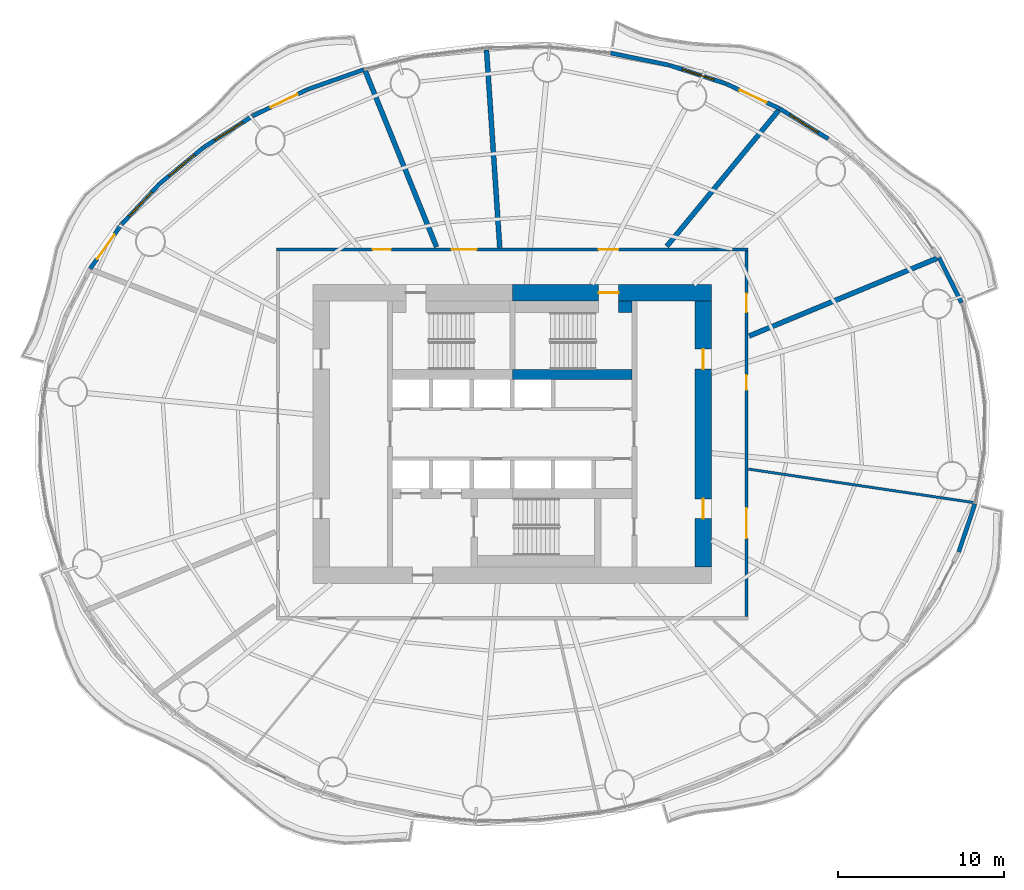
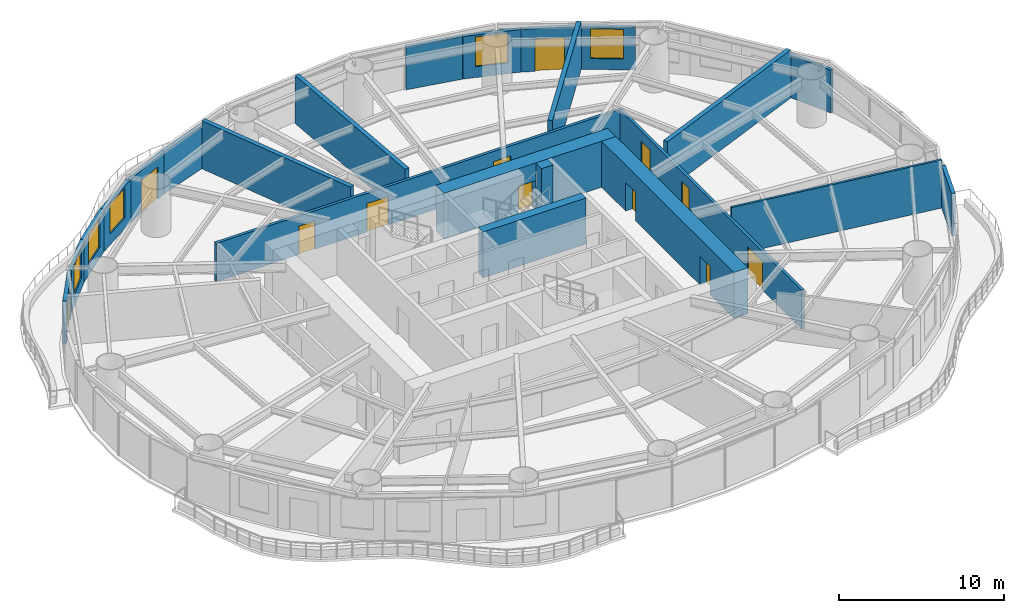
# One storey, part 10 of 16: 23 walls, 12 doors, 5 windows, 17 openings.
"""IFC4 building model written with IfcOpenShell, lengths in metres."""

from ifc_helpers import new_model, si_unit, direction, frame, frame_2d, origin, place, context, subcontext, project, spatial, rectangle, extrude, material, layer, layer_set, type_object, element, fill, save


model = new_model("IFC4")

# Units and contexts
model_context = context("Model", 3, precision=1e-05, world=origin(), true_north=direction((0.0, 1.0)))
body_context = subcontext(model_context, "Body", "Model", "MODEL_VIEW")
ifc_project = project(units=[si_unit("LENGTHUNIT", "METRE"), si_unit("AREAUNIT", "SQUARE_METRE"), si_unit("VOLUMEUNIT", "CUBIC_METRE"), si_unit("PLANEANGLEUNIT", "RADIAN"), si_unit("MASSUNIT", "GRAM", prefix="KILO")], contexts=[model_context])

# Site, building, storey
site_placement = place(None, origin())
site = spatial("IfcSite", under=ifc_project, at=site_placement, CompositionType="ELEMENT")
building_placement = place(site_placement, origin())
building = spatial("IfcBuilding", under=site, at=building_placement, Name="Vermilion Reach Broadcast Tower", CompositionType="ELEMENT")
storey_placement = place(building_placement, frame((0.0, 0.0, 50.800048828125)))
storey = spatial("IfcBuildingStorey", under=building, at=storey_placement, Name="L09", CompositionType="ELEMENT", Elevation=50.800048828125)

# Wall
ifc_material_1 = material(Name="Concrete C70", Category="concrete")
ifc_layer_1 = layer(ifc_material_1, 0.60009765625)
ifc_layer_set_1 = layer_set([ifc_layer_1], Name="Core inner wall 600 mm Concrete C70")
wall_type_1 = type_object("IfcWallType", Name="Core inner wall 600 mm Concrete C70", PredefinedType="SHEAR", material=ifc_layer_set_1)
wall_1_placement = place(storey_placement, frame((-6.0, 3.580078125, 0.0), z_axis=(0.0, 0.0, 1.0), x_axis=(1.0, 0.0, 0.0)))
element("IfcWall", 1, at=wall_1_placement, inside=storey, type_object=wall_type_1, Name="L09 core wall winE", PredefinedType="SHEAR", context=body_context, shape_type="SweptSolid", body=[
    extrude(rectangle(XDim=7.199951171875, YDim=0.60009765625, at=frame_2d((3.60009765625, 0.0))), origin(), (0.0, 0.0, 1.0), 3.39990234375),
])

# Wall, opening, door
ifc_material_2 = material(Name="Concrete C70", Category="concrete")
ifc_layer_2 = layer(ifc_material_2, 1.0)
ifc_layer_set_2 = layer_set([ifc_layer_2], Name="Core outer wall 1000 mm Concrete C70")
wall_type_2 = type_object("IfcWallType", Name="Core outer wall 1000 mm Concrete C70", PredefinedType="SHEAR", material=ifc_layer_set_2)
wall_2_placement = place(storey_placement, frame((6.0, 8.5, 0.0), z_axis=(0.0, 0.0, 1.0), x_axis=(-1.0, 0.0, 0.0)))
wall_2 = element("IfcWall", 2, at=wall_2_placement, inside=storey, type_object=wall_type_2, Name="L09 core wall onE", PredefinedType="SHEAR", context=body_context, shape_type="SweptSolid", body=[
    extrude(rectangle(XDim=12.0, YDim=1.0, at=frame_2d((6.0, 0.0))), origin(), (0.0, 0.0, 1.0), 3.39990234375),
])
opening_1_placement = place(wall_2_placement, frame((5.60009765625, 0.0, 0.0)))
opening_1 = element("IfcOpeningElement", 3, at=opening_1_placement, cuts=wall_2, Name="Opening D01", PredefinedType="OPENING", context=body_context, shape_type="SweptSolid", body=[
    extrude(rectangle(XDim=1.199951171875, YDim=2.10009765625, at=frame_2d((0.60009765625, 1.050048828125))), frame((0.0, 0.510009765625, 0.0), z_axis=(0.0, -1.0, 0.0), x_axis=(1.0, 0.0, 0.0)), (0.0, 0.0, 1.0), 1.02001953125),
])
ifc_material_3 = material(Name="Painted steel fire door", Category="steel")
door_type_1 = type_object("IfcDoorType", Name="Stair door 1200 x 2100", OperationType="DOUBLE_DOOR_SINGLE_SWING", PredefinedType="NOTDEFINED", material=ifc_material_3)
door_1_placement = place(opening_1_placement, origin())
door_1 = element("IfcDoor", 4, at=door_1_placement, inside=storey, type_object=door_type_1, Name="L09 stair door ST2", OperationType="DOUBLE_DOOR_SINGLE_SWING", OverallHeight=2.10009765625, OverallWidth=1.199951171875, PredefinedType="NOTDEFINED", context=body_context, shape_type="SweptSolid", body=[
    extrude(rectangle(XDim=1.199951171875, YDim=2.10009765625, at=frame_2d((0.60009765625, 1.050048828125))), frame((0.0, 0.02490234375, 0.0), z_axis=(0.0, -1.0, 0.0), x_axis=(1.0, 0.0, 0.0)), (0.0, 0.0, 1.0), 0.050048828125),
])
fill(opening_1, door_1)

# Wall, openings, doors
wall_3_placement = place(storey_placement, frame((5.5, -8.0, 0.0), z_axis=(0.0, 0.0, 1.0), x_axis=(0.0, 1.0, 0.0)))
wall_3 = element("IfcWall", 5, at=wall_3_placement, inside=storey, type_object=wall_type_2, Name="L09 core wall oe", PredefinedType="SHEAR", context=body_context, shape_type="SweptSolid", body=[
    extrude(rectangle(XDim=16.0, YDim=1.0, at=frame_2d((8.0, 0.0))), origin(), (0.0, 0.0, 1.0), 3.39990234375),
])
opening_2_placement = place(wall_3_placement, frame((2.89990234375, 0.0, 0.0)))
opening_2 = element("IfcOpeningElement", 6, at=opening_2_placement, cuts=wall_3, Name="Opening D03", PredefinedType="OPENING", context=body_context, shape_type="SweptSolid", body=[
    extrude(rectangle(XDim=1.199951171875, YDim=2.10009765625, at=frame_2d((0.60009765625, 1.050048828125))), frame((0.0, 0.510009765625, 0.0), z_axis=(0.0, -1.0, 0.0), x_axis=(1.0, 0.0, 0.0)), (0.0, 0.0, 1.0), 1.02001953125),
])
opening_3_placement = place(wall_3_placement, frame((11.89990234375, 0.0, 0.0)))
opening_3 = element("IfcOpeningElement", 7, at=opening_3_placement, cuts=wall_3, Name="Opening D03", PredefinedType="OPENING", context=body_context, shape_type="SweptSolid", body=[
    extrude(rectangle(XDim=1.199951171875, YDim=2.10009765625, at=frame_2d((0.60009765625, 1.050048828125))), frame((0.0, 0.510009765625, 0.0), z_axis=(0.0, -1.0, 0.0), x_axis=(1.0, 0.0, 0.0)), (0.0, 0.0, 1.0), 1.02001953125),
])
ifc_material_4 = material(Name="Painted steel fire door", Category="steel")
door_type_2 = type_object("IfcDoorType", Name="Core lobby door 1200 x 2100", OperationType="DOUBLE_DOOR_SINGLE_SWING", PredefinedType="NOTDEFINED", material=ifc_material_4)
door_2_placement = place(opening_2_placement, origin())
door_2 = element("IfcDoor", 8, at=door_2_placement, inside=storey, type_object=door_type_2, Name="L09 slot door E0", OperationType="DOUBLE_DOOR_SINGLE_SWING", OverallHeight=2.10009765625, OverallWidth=1.199951171875, PredefinedType="NOTDEFINED", context=body_context, shape_type="SweptSolid", body=[
    extrude(rectangle(XDim=1.199951171875, YDim=2.10009765625, at=frame_2d((0.60009765625, 1.050048828125))), frame((0.0, 0.02490234375, 0.0), z_axis=(0.0, -1.0, 0.0), x_axis=(1.0, 0.0, 0.0)), (0.0, 0.0, 1.0), 0.050048828125),
])
fill(opening_2, door_2)
door_3_placement = place(opening_3_placement, origin())
door_3 = element("IfcDoor", 9, at=door_3_placement, inside=storey, type_object=door_type_2, Name="L09 slot door E1", OperationType="DOUBLE_DOOR_SINGLE_SWING", OverallHeight=2.10009765625, OverallWidth=1.199951171875, PredefinedType="NOTDEFINED", context=body_context, shape_type="SweptSolid", body=[
    extrude(rectangle(XDim=1.199951171875, YDim=2.10009765625, at=frame_2d((0.60009765625, 1.050048828125))), frame((0.0, 0.02490234375, 0.0), z_axis=(0.0, -1.0, 0.0), x_axis=(1.0, 0.0, 0.0)), (0.0, 0.0, 1.0), 0.050048828125),
])
fill(opening_3, door_3)

# Walls
ifc_material_5 = material(Name="Concrete C70", Category="concrete")
ifc_layer_3 = layer(ifc_material_5, 0.699951171875)
ifc_layer_set_3 = layer_set([ifc_layer_3], Name="Core stair wall 700 mm Concrete C70")
wall_type_3 = type_object("IfcWallType", Name="Core stair wall 700 mm Concrete C70", PredefinedType="SHEAR", material=ifc_layer_set_3)
wall_4_placement = place(storey_placement, frame((0.39990234375, 7.64990234375, 0.0), z_axis=(0.0, 0.0, 1.0), x_axis=(1.0, 0.0, 0.0)))
element("IfcWall", 10, at=wall_4_placement, inside=storey, type_object=wall_type_3, Name="L09 core wall l2b", PredefinedType="SHEAR", context=body_context, shape_type="SweptSolid", body=[
    extrude(rectangle(XDim=0.800048828125, YDim=0.699951171875, at=frame_2d((0.39990234375, 0.0))), origin(), (0.0, 0.0, 1.0), 3.39990234375),
])
ifc_material_6 = material(Name="Lightweight concrete block, plastered", Category="concrete")
ifc_layer_4 = layer(ifc_material_6, 0.14990234375)
ifc_layer_set_4 = layer_set([ifc_layer_4], Name="Partition 150 lightweight block")
wall_type_4 = type_object("IfcWallType", Name="Partition 150 lightweight block", PredefinedType="PARTITIONING", material=ifc_layer_set_4)
wall_5_placement = place(storey_placement, frame((21.744384765625, -4.125244140625, 0.0), z_axis=(0.0, 0.0, 1.0), x_axis=(-0.989126490961, 0.147067280113, 0.0)))
element("IfcWall", 11, at=wall_5_placement, inside=storey, type_object=wall_type_4, Name="Partition 9.11", PredefinedType="PARTITIONING", context=body_context, shape_type="SweptSolid", body=[
    extrude(rectangle(XDim=13.68212890625, YDim=0.14990234375, at=frame_2d((6.841064453125, 0.0))), origin(), (0.0, 0.0, 1.0), 3.550048828125),
])
ifc_material_7 = material(Name="Double-leaf plasterboard on isolated steel stud", Category="steel")
ifc_layer_5 = layer(ifc_material_7, 0.300048828125)
ifc_layer_set_5 = layer_set([ifc_layer_5], Name="Partition 300 acoustic double leaf")
wall_type_5 = type_object("IfcWallType", Name="Partition 300 acoustic double leaf", PredefinedType="PARTITIONING", material=ifc_layer_set_5)
wall_6_placement = place(storey_placement, frame((19.5693359375, 10.57275390625, 0.0), z_axis=(0.0, 0.0, 1.0), x_axis=(-0.924113266053, -0.382118661551, 0.0)))
element("IfcWall", 12, at=wall_6_placement, inside=storey, type_object=wall_type_5, Name="Partition 9.01", PredefinedType="PARTITIONING", context=body_context, shape_type="SweptSolid", body=[
    extrude(rectangle(XDim=12.240966796875, YDim=0.300048828125, at=frame_2d((6.12060546875, 0.0))), origin(), (0.0, 0.0, 1.0), 3.550048828125),
])
wall_7_placement = place(storey_placement, frame((10.0322265625, 19.474853515625, 0.0), z_axis=(0.0, 0.0, 1.0), x_axis=(-0.635573968838, -0.772039979623, 0.0)))
element("IfcWall", 13, at=wall_7_placement, inside=storey, type_object=wall_type_5, Name="Partition 9.02", PredefinedType="PARTITIONING", context=body_context, shape_type="SweptSolid", body=[
    extrude(rectangle(XDim=10.594482421875, YDim=0.300048828125, at=frame_2d((5.29736328125, 0.0))), origin(), (0.0, 0.0, 1.0), 3.550048828125),
])
wall_8_placement = place(storey_placement, frame((-7.551513671875, 23.115478515625, 0.0), z_axis=(0.0, 0.0, 1.0), x_axis=(0.06696714259, -0.997755181301, 0.0)))
element("IfcWall", 14, at=wall_8_placement, inside=storey, type_object=wall_type_5, Name="Partition 9.03", PredefinedType="PARTITIONING", context=body_context, shape_type="SweptSolid", body=[
    extrude(rectangle(XDim=11.932373046875, YDim=0.300048828125, at=frame_2d((5.96630859375, 0.0))), origin(), (0.0, 0.0, 1.0), 3.550048828125),
])
wall_9_placement = place(storey_placement, frame((-14.84228515625, 21.830322265625, 0.0), z_axis=(0.0, 0.0, 1.0), x_axis=(0.375419963659, -0.926854816509, 0.0)))
element("IfcWall", 15, at=wall_9_placement, inside=storey, type_object=wall_type_5, Name="Partition 9.04", PredefinedType="PARTITIONING", context=body_context, shape_type="SweptSolid", body=[
    extrude(rectangle(XDim=11.408447265625, YDim=0.300048828125, at=frame_2d((5.7041015625, 0.0))), origin(), (0.0, 0.0, 1.0), 3.550048828125),
])
ifc_material_8 = material(Name="Terracotta rainscreen cladding", Category="masonry")
ifc_layer_6 = layer(ifc_material_8, 0.25)
ifc_layer_set_6 = layer_set([ifc_layer_6], Name="Terracotta rainscreen wall 250")
wall_type_6 = type_object("IfcWallType", Name="Terracotta rainscreen wall 250", PredefinedType="SOLIDWALL", material=ifc_layer_set_6)
wall_10_placement = place(storey_placement, frame((21.03564453125, 7.89208984375, 0.0), z_axis=(0.0, 0.0, 1.0), x_axis=(-0.443751201737, 0.896150027036, 0.0)))
element("IfcWall", 16, at=wall_10_placement, inside=storey, type_object=wall_type_6, Name="External wall L09 02", PredefinedType="SOLIDWALL", context=body_context, shape_type="SweptSolid", body=[
    extrude(rectangle(XDim=3.049072265625, YDim=0.25, at=frame_2d((1.5244140625, 0.0))), origin(), (0.0, 0.0, 1.0), 3.14990234375),
])

# Wall, opening, window
wall_11_placement = place(storey_placement, frame((13.0107421875, 17.7705078125, 0.0), z_axis=(0.0, 0.0, 1.0), x_axis=(-0.849344913238, 0.527838250184, 0.0)))
wall_11 = element("IfcWall", 17, at=wall_11_placement, inside=storey, type_object=wall_type_6, Name="External wall L09 06", PredefinedType="SOLIDWALL", context=body_context, shape_type="SweptSolid", body=[
    extrude(rectangle(XDim=3.425537109375, YDim=0.25, at=frame_2d((1.712890625, 0.0))), origin(), (0.0, 0.0, 1.0), 3.14990234375),
])
opening_4_placement = place(wall_11_placement, frame((0.712646484375, 0.0, 0.800048828125)))
opening_4 = element("IfcOpeningElement", 18, at=opening_4_placement, cuts=wall_11, Name="Opening W01", PredefinedType="OPENING", context=body_context, shape_type="SweptSolid", body=[
    extrude(rectangle(XDim=2.0, YDim=2.199951171875, at=frame_2d((1.0, 1.10009765625))), frame((0.0, 0.135009765625, 0.0), z_axis=(0.0, -1.0, 0.0), x_axis=(1.0, 0.0, 0.0)), (0.0, 0.0, 1.0), 0.27001953125),
])
ifc_material_9 = material(Name="Low-e laminated clear glass in aluminium frame", Category="aluminium")
window_type = type_object("IfcWindowType", Name="Punched window 2000 x 2200 sill 800", PartitioningType="SINGLE_PANEL", PredefinedType="WINDOW", material=ifc_material_9)
window_1_placement = place(opening_4_placement, origin())
window_1 = element("IfcWindow", 19, at=window_1_placement, inside=storey, type_object=window_type, Name="Window L09 06", OverallHeight=2.199951171875, OverallWidth=2.0, PartitioningType="SINGLE_PANEL", PredefinedType="WINDOW", context=body_context, shape_type="SweptSolid", body=[
    extrude(rectangle(XDim=2.0, YDim=2.199951171875, at=frame_2d((1.0, 1.10009765625))), frame((0.0, 0.030029296875, 0.0), z_axis=(0.0, -1.0, 0.0), x_axis=(1.0, 0.0, 0.0)), (0.0, 0.0, 1.0), 0.06005859375),
])
fill(opening_4, window_1)

# Wall, opening, door
wall_12_placement = place(storey_placement, frame((10.0810546875, 19.589599609375, 0.0), z_axis=(0.0, 0.0, 1.0), x_axis=(-0.907313194359, 0.420455428484, 0.0)))
wall_12 = element("IfcWall", 20, at=wall_12_placement, inside=storey, type_object=wall_type_6, Name="External wall L09 07", PredefinedType="SOLIDWALL", context=body_context, shape_type="SweptSolid", body=[
    extrude(rectangle(XDim=3.51123046875, YDim=0.25, at=frame_2d((1.755615234375, 0.0))), origin(), (0.0, 0.0, 1.0), 3.14990234375),
])
opening_5_placement = place(wall_12_placement, frame((0.85595703125, 0.0, 0.0)))
opening_5 = element("IfcOpeningElement", 21, at=opening_5_placement, cuts=wall_12, Name="Opening D70", PredefinedType="OPENING", context=body_context, shape_type="SweptSolid", body=[
    extrude(rectangle(XDim=1.800048828125, YDim=2.39990234375, at=frame_2d((0.89990234375, 1.199951171875))), frame((0.0, 0.135009765625, 0.0), z_axis=(0.0, -1.0, 0.0), x_axis=(1.0, 0.0, 0.0)), (0.0, 0.0, 1.0), 0.27001953125),
])
ifc_material_10 = material(Name="Low-e laminated clear glass in aluminium frame", Category="aluminium")
door_type_3 = type_object("IfcDoorType", Name="Balcony sliding door 1800 x 2400", OperationType="DOUBLE_DOOR_SLIDING", PredefinedType="DOOR", material=ifc_material_10)
door_4_placement = place(opening_5_placement, origin())
door_4 = element("IfcDoor", 22, at=door_4_placement, inside=storey, type_object=door_type_3, Name="Balcony door L09 run 02", OperationType="DOUBLE_DOOR_SLIDING", OverallHeight=2.39990234375, OverallWidth=1.800048828125, PredefinedType="DOOR", context=body_context, shape_type="SweptSolid", body=[
    extrude(rectangle(XDim=1.800048828125, YDim=2.39990234375, at=frame_2d((0.89990234375, 1.199951171875))), frame((0.0, 0.02490234375, 0.0), z_axis=(0.0, -1.0, 0.0), x_axis=(1.0, 0.0, 0.0)), (0.0, 0.0, 1.0), 0.050048828125),
])
fill(opening_5, door_4)

# Wall, opening, window
wall_13_placement = place(storey_placement, frame((6.874267578125, 21.07421875, 0.0), z_axis=(0.0, 0.0, 1.0), x_axis=(-0.950176997657, 0.311710880662, 0.0)))
wall_13 = element("IfcWall", 23, at=wall_13_placement, inside=storey, type_object=wall_type_6, Name="External wall L09 08", PredefinedType="SOLIDWALL", context=body_context, shape_type="SweptSolid", body=[
    extrude(rectangle(XDim=3.58642578125, YDim=0.25, at=frame_2d((1.793212890625, 0.0))), origin(), (0.0, 0.0, 1.0), 3.14990234375),
])
opening_6_placement = place(wall_13_placement, frame((0.793212890625, 0.0, 0.800048828125)))
opening_6 = element("IfcOpeningElement", 24, at=opening_6_placement, cuts=wall_13, Name="Opening W01", PredefinedType="OPENING", context=body_context, shape_type="SweptSolid", body=[
    extrude(rectangle(XDim=2.0, YDim=2.199951171875, at=frame_2d((1.0, 1.10009765625))), frame((0.0, 0.135009765625, 0.0), z_axis=(0.0, -1.0, 0.0), x_axis=(1.0, 0.0, 0.0)), (0.0, 0.0, 1.0), 0.27001953125),
])
window_2_placement = place(opening_6_placement, origin())
window_2 = element("IfcWindow", 25, at=window_2_placement, inside=storey, type_object=window_type, Name="Window L09 08", OverallHeight=2.199951171875, OverallWidth=2.0, PartitioningType="SINGLE_PANEL", PredefinedType="WINDOW", context=body_context, shape_type="SweptSolid", body=[
    extrude(rectangle(XDim=2.0, YDim=2.199951171875, at=frame_2d((1.0, 1.10009765625))), frame((0.0, 0.030029296875, 0.0), z_axis=(0.0, -1.0, 0.0), x_axis=(1.0, 0.0, 0.0)), (0.0, 0.0, 1.0), 0.06005859375),
])
fill(opening_6, window_2)

# Walls
wall_14_placement = place(storey_placement, frame((3.4453125, 22.19775390625, 0.0), z_axis=(0.0, 0.0, 1.0), x_axis=(-0.979196383513, 0.202914865188, 0.0)))
element("IfcWall", 26, at=wall_14_placement, inside=storey, type_object=wall_type_6, Name="External wall L09 09", PredefinedType="SOLIDWALL", context=body_context, shape_type="SweptSolid", body=[
    extrude(rectangle(XDim=3.602294921875, YDim=0.25, at=frame_2d((1.80126953125, 0.0))), origin(), (0.0, 0.0, 1.0), 3.14990234375),
])
wall_15_placement = place(storey_placement, frame((-14.92919921875, 21.93212890625, 0.0), z_axis=(0.0, 0.0, 1.0), x_axis=(-0.943313962697, -0.331901744168, 0.0)))
element("IfcWall", 27, at=wall_15_placement, inside=storey, type_object=wall_type_6, Name="External wall L09 14", PredefinedType="SOLIDWALL", context=body_context, shape_type="SweptSolid", body=[
    extrude(rectangle(XDim=3.60205078125, YDim=0.25, at=frame_2d((1.801025390625, 0.0))), origin(), (0.0, 0.0, 1.0), 3.14990234375),
])

# Wall, opening, door
wall_16_placement = place(storey_placement, frame((-18.347412109375, 20.72802734375, 0.0), z_axis=(0.0, 0.0, 1.0), x_axis=(-0.899966299965, -0.435959469363, 0.0)))
wall_16 = element("IfcWall", 28, at=wall_16_placement, inside=storey, type_object=wall_type_6, Name="External wall L09 15", PredefinedType="SOLIDWALL", context=body_context, shape_type="SweptSolid", body=[
    extrude(rectangle(XDim=3.586181640625, YDim=0.25, at=frame_2d((1.79296875, 0.0))), origin(), (0.0, 0.0, 1.0), 3.14990234375),
])
opening_7_placement = place(wall_16_placement, frame((0.64306640625, 0.0, 0.0)))
opening_7 = element("IfcOpeningElement", 29, at=opening_7_placement, cuts=wall_16, Name="Opening D70", PredefinedType="OPENING", context=body_context, shape_type="SweptSolid", body=[
    extrude(rectangle(XDim=1.800048828125, YDim=2.39990234375, at=frame_2d((0.89990234375, 1.199951171875))), frame((0.0, 0.135009765625, 0.0), z_axis=(0.0, -1.0, 0.0), x_axis=(1.0, 0.0, 0.0)), (0.0, 0.0, 1.0), 0.27001953125),
])
door_5_placement = place(opening_7_placement, origin())
door_5 = element("IfcDoor", 30, at=door_5_placement, inside=storey, type_object=door_type_3, Name="Balcony door L09 run 04", OperationType="DOUBLE_DOOR_SLIDING", OverallHeight=2.39990234375, OverallWidth=1.800048828125, PredefinedType="DOOR", context=body_context, shape_type="SweptSolid", body=[
    extrude(rectangle(XDim=1.800048828125, YDim=2.39990234375, at=frame_2d((0.89990234375, 1.199951171875))), frame((0.0, 0.02490234375, 0.0), z_axis=(0.0, -1.0, 0.0), x_axis=(1.0, 0.0, 0.0)), (0.0, 0.0, 1.0), 0.050048828125),
])
fill(opening_7, door_5)

# Wall, opening, window
wall_17_placement = place(storey_placement, frame((-21.5947265625, 19.153564453125, 0.0), z_axis=(0.0, 0.0, 1.0), x_axis=(-0.843008079685, -0.53790089941, 0.0)))
wall_17 = element("IfcWall", 31, at=wall_17_placement, inside=storey, type_object=wall_type_6, Name="External wall L09 16", PredefinedType="SOLIDWALL", context=body_context, shape_type="SweptSolid", body=[
    extrude(rectangle(XDim=3.51123046875, YDim=0.25, at=frame_2d((1.755615234375, 0.0))), origin(), (0.0, 0.0, 1.0), 3.14990234375),
])
opening_8_placement = place(wall_17_placement, frame((0.755615234375, 0.0, 0.800048828125)))
opening_8 = element("IfcOpeningElement", 32, at=opening_8_placement, cuts=wall_17, Name="Opening W01", PredefinedType="OPENING", context=body_context, shape_type="SweptSolid", body=[
    extrude(rectangle(XDim=2.0, YDim=2.199951171875, at=frame_2d((1.0, 1.10009765625))), frame((0.0, 0.135009765625, 0.0), z_axis=(0.0, -1.0, 0.0), x_axis=(1.0, 0.0, 0.0)), (0.0, 0.0, 1.0), 0.27001953125),
])
window_3_placement = place(opening_8_placement, origin())
window_3 = element("IfcWindow", 33, at=window_3_placement, inside=storey, type_object=window_type, Name="Window L09 16", OverallHeight=2.199951171875, OverallWidth=2.0, PartitioningType="SINGLE_PANEL", PredefinedType="WINDOW", context=body_context, shape_type="SweptSolid", body=[
    extrude(rectangle(XDim=2.0, YDim=2.199951171875, at=frame_2d((1.0, 1.10009765625))), frame((0.0, 0.030029296875, 0.0), z_axis=(0.0, -1.0, 0.0), x_axis=(1.0, 0.0, 0.0)), (0.0, 0.0, 1.0), 0.06005859375),
])
fill(opening_8, window_3)

wall_18_placement = place(storey_placement, frame((-24.573486328125, 17.251220703125, 0.0), z_axis=(0.0, 0.0, 1.0), x_axis=(-0.771145821292, -0.636658560222, 0.0)))
wall_18 = element("IfcWall", 34, at=wall_18_placement, inside=storey, type_object=wall_type_6, Name="External wall L09 17", PredefinedType="SOLIDWALL", context=body_context, shape_type="SweptSolid", body=[
    extrude(rectangle(XDim=3.425537109375, YDim=0.25, at=frame_2d((1.712890625, 0.0))), origin(), (0.0, 0.0, 1.0), 3.14990234375),
])
opening_9_placement = place(wall_18_placement, frame((0.712646484375, 0.0, 0.800048828125)))
opening_9 = element("IfcOpeningElement", 35, at=opening_9_placement, cuts=wall_18, Name="Opening W01", PredefinedType="OPENING", context=body_context, shape_type="SweptSolid", body=[
    extrude(rectangle(XDim=2.0, YDim=2.199951171875, at=frame_2d((1.0, 1.10009765625))), frame((0.0, 0.135009765625, 0.0), z_axis=(0.0, -1.0, 0.0), x_axis=(1.0, 0.0, 0.0)), (0.0, 0.0, 1.0), 0.27001953125),
])
window_4_placement = place(opening_9_placement, origin())
window_4 = element("IfcWindow", 36, at=window_4_placement, inside=storey, type_object=window_type, Name="Window L09 17", OverallHeight=2.199951171875, OverallWidth=2.0, PartitioningType="SINGLE_PANEL", PredefinedType="WINDOW", context=body_context, shape_type="SweptSolid", body=[
    extrude(rectangle(XDim=2.0, YDim=2.199951171875, at=frame_2d((1.0, 1.10009765625))), frame((0.0, 0.030029296875, 0.0), z_axis=(0.0, -1.0, 0.0), x_axis=(1.0, 0.0, 0.0)), (0.0, 0.0, 1.0), 0.06005859375),
])
fill(opening_9, window_4)

wall_19_placement = place(storey_placement, frame((-27.232666015625, 15.053955078125, 0.0), z_axis=(0.0, 0.0, 1.0), x_axis=(-0.683288117208, -0.730148853921, 0.0)))
wall_19 = element("IfcWall", 37, at=wall_19_placement, inside=storey, type_object=wall_type_6, Name="External wall L09 18", PredefinedType="SOLIDWALL", context=body_context, shape_type="SweptSolid", body=[
    extrude(rectangle(XDim=3.334228515625, YDim=0.25, at=frame_2d((1.6669921875, 0.0))), origin(), (0.0, 0.0, 1.0), 3.14990234375),
])
opening_10_placement = place(wall_19_placement, frame((0.667236328125, 0.0, 0.800048828125)))
opening_10 = element("IfcOpeningElement", 38, at=opening_10_placement, cuts=wall_19, Name="Opening W01", PredefinedType="OPENING", context=body_context, shape_type="SweptSolid", body=[
    extrude(rectangle(XDim=2.0, YDim=2.199951171875, at=frame_2d((1.0, 1.10009765625))), frame((0.0, 0.135009765625, 0.0), z_axis=(0.0, -1.0, 0.0), x_axis=(1.0, 0.0, 0.0)), (0.0, 0.0, 1.0), 0.27001953125),
])
window_5_placement = place(opening_10_placement, origin())
window_5 = element("IfcWindow", 39, at=window_5_placement, inside=storey, type_object=window_type, Name="Window L09 18", OverallHeight=2.199951171875, OverallWidth=2.0, PartitioningType="SINGLE_PANEL", PredefinedType="WINDOW", context=body_context, shape_type="SweptSolid", body=[
    extrude(rectangle(XDim=2.0, YDim=2.199951171875, at=frame_2d((1.0, 1.10009765625))), frame((0.0, 0.030029296875, 0.0), z_axis=(0.0, -1.0, 0.0), x_axis=(1.0, 0.0, 0.0)), (0.0, 0.0, 1.0), 0.06005859375),
])
fill(opening_10, window_5)

# Wall, opening, door
wall_20_placement = place(storey_placement, frame((-29.52685546875, 12.60009765625, 0.0), z_axis=(0.0, 0.0, 1.0), x_axis=(-0.578643660536, -0.81558047679, 0.0)))
wall_20 = element("IfcWall", 40, at=wall_20_placement, inside=storey, type_object=wall_type_6, Name="External wall L09 19", PredefinedType="SOLIDWALL", context=body_context, shape_type="SweptSolid", body=[
    extrude(rectangle(XDim=3.24365234375, YDim=0.25, at=frame_2d((1.621826171875, 0.0))), origin(), (0.0, 0.0, 1.0), 3.14990234375),
])
opening_11_placement = place(wall_20_placement, frame((0.721923828125, 0.0, 0.0)))
opening_11 = element("IfcOpeningElement", 41, at=opening_11_placement, cuts=wall_20, Name="Opening D70", PredefinedType="OPENING", context=body_context, shape_type="SweptSolid", body=[
    extrude(rectangle(XDim=1.800048828125, YDim=2.39990234375, at=frame_2d((0.89990234375, 1.199951171875))), frame((0.0, 0.135009765625, 0.0), z_axis=(0.0, -1.0, 0.0), x_axis=(1.0, 0.0, 0.0)), (0.0, 0.0, 1.0), 0.27001953125),
])
door_6_placement = place(opening_11_placement, origin())
door_6 = element("IfcDoor", 42, at=door_6_placement, inside=storey, type_object=door_type_3, Name="Balcony door L09 run 05", OperationType="DOUBLE_DOOR_SLIDING", OverallHeight=2.39990234375, OverallWidth=1.800048828125, PredefinedType="DOOR", context=body_context, shape_type="SweptSolid", body=[
    extrude(rectangle(XDim=1.800048828125, YDim=2.39990234375, at=frame_2d((0.89990234375, 1.199951171875))), frame((0.0, 0.02490234375, 0.0), z_axis=(0.0, -1.0, 0.0), x_axis=(1.0, 0.0, 0.0)), (0.0, 0.0, 1.0), 0.050048828125),
])
fill(opening_11, door_6)

# Wall
wall_21_placement = place(storey_placement, frame((20.872314453125, -7.09716796875, 0.0), z_axis=(0.0, 0.0, 1.0), x_axis=(0.319948454673, 0.947434950987, 0.0)))
element("IfcWall", 43, at=wall_21_placement, inside=storey, type_object=wall_type_6, Name="External wall L09 45", PredefinedType="SOLIDWALL", context=body_context, shape_type="SweptSolid", body=[
    extrude(rectangle(XDim=3.04931640625, YDim=0.25, at=frame_2d((1.524658203125, 0.0))), origin(), (0.0, 0.0, 1.0), 3.14990234375),
])

# Wall, openings, doors
ifc_material_11 = material(Name="Fire-rated gypsum board partition")
ifc_layer_7 = layer(ifc_material_11, 0.199951171875)
ifc_layer_set_7 = layer_set([ifc_layer_7], Name="Under girder: Corridor wall 200 fire-rated")
wall_type_7 = type_object("IfcWallType", Name="Under girder: Corridor wall 200 fire-rated", PredefinedType="PARTITIONING", material=ifc_layer_set_7)
wall_22_placement = place(storey_placement, frame((-20.199951171875, 11.10009765625, 0.0), z_axis=(0.0, 0.0, 1.0), x_axis=(1.0, 0.0, 0.0)))
wall_22 = element("IfcWall", 44, at=wall_22_placement, inside=storey, type_object=wall_type_7, Name="Corridor wall 9.N", PredefinedType="PARTITIONING", context=body_context, shape_type="SweptSolid", body=[
    extrude(rectangle(XDim=28.39990234375, YDim=0.199951171875, at=frame_2d((14.199951171875, 0.0))), origin(), (0.0, 0.0, 1.0), 2.849853515625),
])
opening_12_placement = place(wall_22_placement, frame((19.388671875, 0.0, 0.0)))
opening_12 = element("IfcOpeningElement", 45, at=opening_12_placement, cuts=wall_22, Name="Opening D26", PredefinedType="OPENING", context=body_context, shape_type="SweptSolid", body=[
    extrude(rectangle(XDim=1.199951171875, YDim=2.10009765625, at=frame_2d((0.60009765625, 1.050048828125))), frame((0.0, 0.10986328125, 0.0), z_axis=(0.0, -1.0, 0.0), x_axis=(1.0, 0.0, 0.0)), (0.0, 0.0, 1.0), 0.219970703125),
])
opening_13_placement = place(wall_22_placement, frame((10.548828125, 0.0, 0.0)))
opening_13 = element("IfcOpeningElement", 46, at=opening_13_placement, cuts=wall_22, Name="Opening D24", PredefinedType="OPENING", context=body_context, shape_type="SweptSolid", body=[
    extrude(rectangle(XDim=1.5, YDim=2.10009765625, at=frame_2d((0.75, 1.050048828125))), frame((0.0, 0.10986328125, 0.0), z_axis=(0.0, -1.0, 0.0), x_axis=(1.0, 0.0, 0.0)), (0.0, 0.0, 1.0), 0.219970703125),
])
opening_14_placement = place(wall_22_placement, frame((5.79443359375, 0.0, 0.0)))
opening_14 = element("IfcOpeningElement", 47, at=opening_14_placement, cuts=wall_22, Name="Opening D28", PredefinedType="OPENING", context=body_context, shape_type="SweptSolid", body=[
    extrude(rectangle(XDim=1.10009765625, YDim=2.10009765625, at=frame_2d((0.550048828125, 1.050048828125))), frame((0.0, 0.10986328125, 0.0), z_axis=(0.0, -1.0, 0.0), x_axis=(1.0, 0.0, 0.0)), (0.0, 0.0, 1.0), 0.219970703125),
])
ifc_material_12 = material(Name="Timber door leaf", Category="wood")
door_type_4 = type_object("IfcDoorType", Name="Door pair 1500x2100", OperationType="NOTDEFINED", PredefinedType="DOOR", material=ifc_material_12)
door_7_placement = place(opening_13_placement, origin())
door_7 = element("IfcDoor", 48, at=door_7_placement, inside=storey, type_object=door_type_4, Name="Door 9.03", OperationType="DOUBLE_DOOR_SINGLE_SWING", OverallHeight=2.10009765625, OverallWidth=1.5, PredefinedType="DOOR", context=body_context, shape_type="SweptSolid", body=[
    extrude(rectangle(XDim=1.5, YDim=2.10009765625, at=frame_2d((0.75, 1.050048828125))), frame((0.0, 0.02490234375, 0.0), z_axis=(0.0, -1.0, 0.0), x_axis=(1.0, 0.0, 0.0)), (0.0, 0.0, 1.0), 0.050048828125),
])
fill(opening_13, door_7)
ifc_material_13 = material(Name="Acoustic sound-lock door leaf")
door_type_5 = type_object("IfcDoorType", Name="Door single 1100x2100", OperationType="NOTDEFINED", PredefinedType="DOOR", material=ifc_material_13)
door_8_placement = place(opening_14_placement, origin())
door_8 = element("IfcDoor", 49, at=door_8_placement, inside=storey, type_object=door_type_5, Name="Door 9.04", OperationType="SINGLE_SWING_RIGHT", OverallHeight=2.10009765625, OverallWidth=1.10009765625, PredefinedType="DOOR", context=body_context, shape_type="SweptSolid", body=[
    extrude(rectangle(XDim=1.10009765625, YDim=2.10009765625, at=frame_2d((0.550048828125, 1.050048828125))), frame((0.0, 0.02490234375, 0.0), z_axis=(0.0, -1.0, 0.0), x_axis=(1.0, 0.0, 0.0)), (0.0, 0.0, 1.0), 0.050048828125),
])
fill(opening_14, door_8)
ifc_material_14 = material(Name="Acoustic timber door leaf", Category="wood")
door_type_6 = type_object("IfcDoorType", Name="Door single 1200x2100", OperationType="NOTDEFINED", PredefinedType="DOOR", material=ifc_material_14)
door_9_placement = place(opening_12_placement, origin())
door_9 = element("IfcDoor", 50, at=door_9_placement, inside=storey, type_object=door_type_6, Name="Door 9.02", OperationType="SINGLE_SWING_RIGHT", OverallHeight=2.10009765625, OverallWidth=1.199951171875, PredefinedType="DOOR", context=body_context, shape_type="SweptSolid", body=[
    extrude(rectangle(XDim=1.199951171875, YDim=2.10009765625, at=frame_2d((0.60009765625, 1.050048828125))), frame((0.0, 0.02490234375, 0.0), z_axis=(0.0, -1.0, 0.0), x_axis=(1.0, 0.0, 0.0)), (0.0, 0.0, 1.0), 0.050048828125),
])
fill(opening_12, door_9)

wall_23_placement = place(storey_placement, frame((8.10009765625, 11.0, 0.0), z_axis=(0.0, 0.0, 1.0), x_axis=(0.0, -1.0, 0.0)))
wall_23 = element("IfcWall", 51, at=wall_23_placement, inside=storey, type_object=wall_type_7, Name="Corridor wall 9.E", PredefinedType="PARTITIONING", context=body_context, shape_type="SweptSolid", body=[
    extrude(rectangle(XDim=22.0, YDim=0.199951171875, at=frame_2d((11.0, 0.0))), origin(), (0.0, 0.0, 1.0), 2.849853515625),
])
opening_15_placement = place(wall_23_placement, frame((2.559814453125, 0.0, 0.0)))
opening_15 = element("IfcOpeningElement", 52, at=opening_15_placement, cuts=wall_23, Name="Opening D28", PredefinedType="OPENING", context=body_context, shape_type="SweptSolid", body=[
    extrude(rectangle(XDim=1.10009765625, YDim=2.10009765625, at=frame_2d((0.550048828125, 1.050048828125))), frame((0.0, 0.10986328125, 0.0), z_axis=(0.0, -1.0, 0.0), x_axis=(1.0, 0.0, 0.0)), (0.0, 0.0, 1.0), 0.219970703125),
])
opening_16_placement = place(wall_23_placement, frame((15.468017578125, 0.0, 0.0)))
opening_16 = element("IfcOpeningElement", 53, at=opening_16_placement, cuts=wall_23, Name="Opening D21", PredefinedType="OPENING", context=body_context, shape_type="SweptSolid", body=[
    extrude(rectangle(XDim=1.800048828125, YDim=2.10009765625, at=frame_2d((0.89990234375, 1.050048828125))), frame((0.0, 0.10986328125, 0.0), z_axis=(0.0, -1.0, 0.0), x_axis=(1.0, 0.0, 0.0)), (0.0, 0.0, 1.0), 0.219970703125),
])
opening_17_placement = place(wall_23_placement, frame((7.453369140625, 0.0, 0.0)))
opening_17 = element("IfcOpeningElement", 54, at=opening_17_placement, cuts=wall_23, Name="Opening D22", PredefinedType="OPENING", context=body_context, shape_type="SweptSolid", body=[
    extrude(rectangle(XDim=0.89990234375, YDim=2.10009765625, at=frame_2d((0.449951171875, 1.050048828125))), frame((0.0, 0.10986328125, 0.0), z_axis=(0.0, -1.0, 0.0), x_axis=(1.0, 0.0, 0.0)), (0.0, 0.0, 1.0), 0.219970703125),
])
ifc_material_15 = material(Name="Timber door leaf", Category="wood")
door_type_7 = type_object("IfcDoorType", Name="Door pair 1800x2100", OperationType="NOTDEFINED", PredefinedType="DOOR", material=ifc_material_15)
door_10_placement = place(opening_16_placement, origin())
door_10 = element("IfcDoor", 55, at=door_10_placement, inside=storey, type_object=door_type_7, Name="Door 9.10", OperationType="DOUBLE_DOOR_SINGLE_SWING", OverallHeight=2.10009765625, OverallWidth=1.800048828125, PredefinedType="DOOR", context=body_context, shape_type="SweptSolid", body=[
    extrude(rectangle(XDim=1.800048828125, YDim=2.10009765625, at=frame_2d((0.89990234375, 1.050048828125))), frame((0.0, 0.02490234375, 0.0), z_axis=(0.0, -1.0, 0.0), x_axis=(1.0, 0.0, 0.0)), (0.0, 0.0, 1.0), 0.050048828125),
])
fill(opening_16, door_10)
door_11_placement = place(opening_15_placement, origin())
door_11 = element("IfcDoor", 56, at=door_11_placement, inside=storey, type_object=door_type_5, Name="Door 9.01", OperationType="SINGLE_SWING_RIGHT", OverallHeight=2.10009765625, OverallWidth=1.10009765625, PredefinedType="DOOR", context=body_context, shape_type="SweptSolid", body=[
    extrude(rectangle(XDim=1.10009765625, YDim=2.10009765625, at=frame_2d((0.550048828125, 1.050048828125))), frame((0.0, 0.02490234375, 0.0), z_axis=(0.0, -1.0, 0.0), x_axis=(1.0, 0.0, 0.0)), (0.0, 0.0, 1.0), 0.050048828125),
])
fill(opening_15, door_11)
ifc_material_16 = material(Name="Timber door leaf", Category="wood")
door_type_8 = type_object("IfcDoorType", Name="Door single 900x2100", OperationType="NOTDEFINED", PredefinedType="DOOR", material=ifc_material_16)
door_12_placement = place(opening_17_placement, origin())
door_12 = element("IfcDoor", 57, at=door_12_placement, inside=storey, type_object=door_type_8, Name="Door 9.11", OperationType="SINGLE_SWING_LEFT", OverallHeight=2.10009765625, OverallWidth=0.89990234375, PredefinedType="DOOR", context=body_context, shape_type="SweptSolid", body=[
    extrude(rectangle(XDim=0.89990234375, YDim=2.10009765625, at=frame_2d((0.449951171875, 1.050048828125))), frame((0.0, 0.02490234375, 0.0), z_axis=(0.0, -1.0, 0.0), x_axis=(1.0, 0.0, 0.0)), (0.0, 0.0, 1.0), 0.050048828125),
])
fill(opening_17, door_12)

save(model, "model.ifc")
